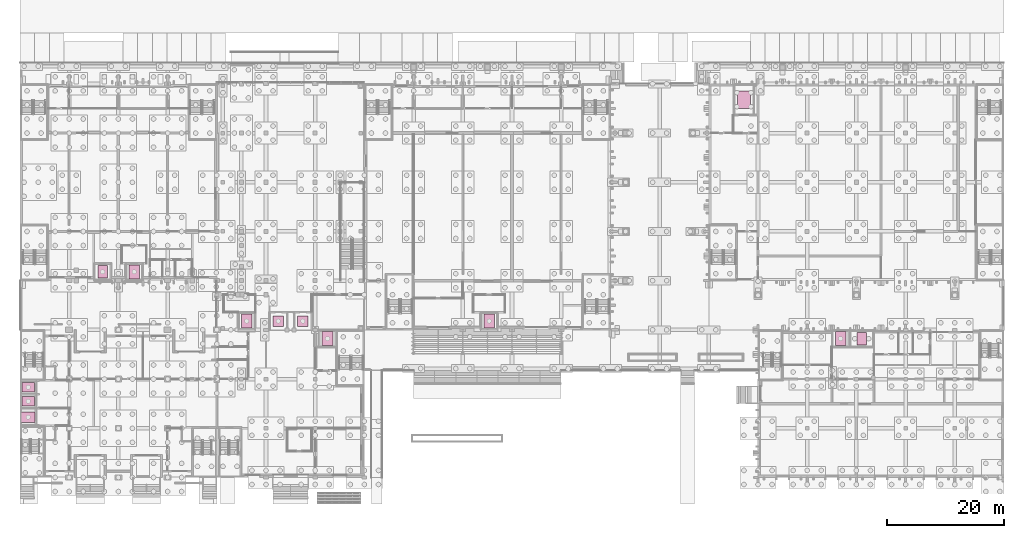
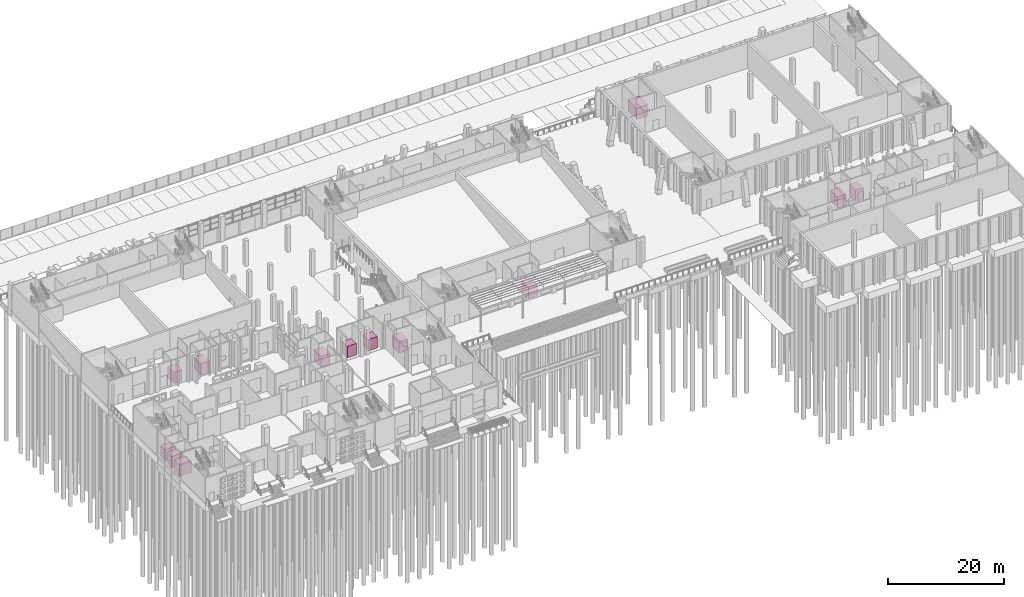
# One storey, part 129 of 129: 13 transport elements.
"""IFC4 building model written with IfcOpenShell, lengths in metres."""

from ifc_helpers import new_model, si_unit, direction, frame, origin, origin_2d, place, context, subcontext, project, spatial, rectangle, extrude, material, type_object, element, save


model = new_model("IFC4")

# Units and contexts
model_context = context("Model", 3, precision=1e-05, world=origin(), true_north=direction((0.0, 1.0)))
body_context = subcontext(model_context, "Body", "Model", "MODEL_VIEW")
ifc_project = project(units=[si_unit("LENGTHUNIT", "METRE"), si_unit("AREAUNIT", "SQUARE_METRE"), si_unit("VOLUMEUNIT", "CUBIC_METRE"), si_unit("PLANEANGLEUNIT", "RADIAN"), si_unit("MASSUNIT", "GRAM", prefix="KILO")], contexts=[model_context])

# Site, building, storey
site_placement = place(None, origin())
site = spatial("IfcSite", under=ifc_project, at=site_placement, CompositionType="ELEMENT")
building_placement = place(site_placement, origin())
building = spatial("IfcBuilding", under=site, at=building_placement, Name="Kiln Court Media Centre", CompositionType="ELEMENT")
storey_placement = place(building_placement, origin())
storey = spatial("IfcBuildingStorey", under=building, at=storey_placement, Name="L00", CompositionType="ELEMENT", Elevation=0.0)

# Transport elements
ifc_material_1 = material(Name="Steel S275", Category="steel")
transport_element_type_1 = type_object("IfcTransportElementType", Name="Steel S275 lift car 1600 x 2100", PredefinedType="ELEVATOR", material=ifc_material_1)
for number, where, z_axis, x_axis, name in (
    (1, (1.39990234375, 13.0, 0.0), (0.0, 0.0, 1.0), (1.0, 0.0, 0.0), "LF-02 Passenger lift"),
    (2, (1.39990234375, 15.39990234375, 0.0), (0.0, 0.0, 1.0), (1.0, 0.0, 0.0), "LF-03 Passenger lift"),
):
    element("IfcTransportElement", number, at=place(storey_placement, frame(where, z_axis=z_axis, x_axis=x_axis)), inside=storey, type_object=transport_element_type_1, Name=name, PredefinedType="ELEVATOR", context=body_context, shape_type="SweptSolid", body=[
        extrude(rectangle(XDim=2.10009765625, YDim=1.60009765625, at=origin_2d()), origin(), (0.0, 0.0, 1.0), 2.39990234375),
    ])
for number, where, z_axis, x_axis, name in (
    (3, (14.10009765625, 35.10009765625, 0.0), (0.0, 0.0, 1.0), (1.0, 0.0, 0.0), "LF-05 Passenger lift"),
    (4, (143.699951171875, 23.699951171875, 0.0), (0.0, 0.0, 1.0), (1.0, 0.0, 0.0), "LF-12 Passenger lift"),
):
    element("IfcTransportElement", number, at=place(storey_placement, frame(where, z_axis=z_axis, x_axis=x_axis)), inside=storey, type_object=transport_element_type_1, Name=name, PredefinedType="ELEVATOR", context=body_context, shape_type="SweptSolid", body=[
        extrude(rectangle(XDim=1.60009765625, YDim=2.10009765625, at=origin_2d()), origin(), (0.0, 0.0, 1.0), 2.39990234375),
    ])
ifc_material_2 = material(Name="Steel S275", Category="steel")
transport_element_type_2 = type_object("IfcTransportElementType", Name="Steel S275 lift car 1800 x 1800", PredefinedType="ELEVATOR", material=ifc_material_2)
for number, where, z_axis, x_axis, name in (
    (5, (44.10009765625, 26.699951171875, 0.0), (0.0, 0.0, 1.0), (1.0, 0.0, 0.0), "LF-07 Glass passenger lift"),
    (6, (48.300048828125, 26.699951171875, 0.0), (0.0, 0.0, 1.0), (1.0, 0.0, 0.0), "LF-08 Glass passenger lift"),
):
    element("IfcTransportElement", number, at=place(storey_placement, frame(where, z_axis=z_axis, x_axis=x_axis)), inside=storey, type_object=transport_element_type_2, Name=name, PredefinedType="ELEVATOR", context=body_context, shape_type="SweptSolid", body=[
        extrude(rectangle(XDim=1.800048828125, YDim=1.800048828125, at=origin_2d()), origin(), (0.0, 0.0, 1.0), 2.39990234375),
    ])
ifc_material_3 = material(Name="Steel S275", Category="steel")
transport_element_type_3 = type_object("IfcTransportElementType", Name="Steel S275 lift car 1800 x 2400", PredefinedType="ELEVATOR", material=ifc_material_3)
transport_element_1_placement = place(storey_placement, frame((1.39990234375, 10.300048828125, 0.0), z_axis=(0.0, 0.0, 1.0), x_axis=(1.0, 0.0, 0.0)))
element("IfcTransportElement", 7, at=transport_element_1_placement, inside=storey, type_object=transport_element_type_3, Name="LF-01 Fire-fighting lift", PredefinedType="ELEVATOR", context=body_context, shape_type="SweptSolid", body=[
    extrude(rectangle(XDim=2.39990234375, YDim=1.800048828125, at=origin_2d()), origin(), (0.0, 0.0, 1.0), 2.39990234375),
])
for number, where, z_axis, x_axis, name in (
    (8, (52.5, 23.699951171875, 0.0), (0.0, 0.0, 1.0), (1.0, 0.0, 0.0), "LF-04 Fire-fighting lift"),
    (9, (19.5, 35.10009765625, 0.0), (0.0, 0.0, 1.0), (1.0, 0.0, 0.0), "LF-06 Fire-fighting lift"),
    (10, (80.10009765625, 26.699951171875, 0.0), (0.0, 0.0, 1.0), (1.0, 0.0, 0.0), "LF-09 Fire-fighting lift"),
    (11, (140.10009765625, 23.699951171875, 0.0), (0.0, 0.0, 1.0), (1.0, 0.0, 0.0), "LF-11 Fire-fighting lift"),
    (12, (38.699951171875, 26.699951171875, 0.0), (0.0, 0.0, 1.0), (1.0, 0.0, 0.0), "LF-13 Fire-fighting lift"),
):
    element("IfcTransportElement", number, at=place(storey_placement, frame(where, z_axis=z_axis, x_axis=x_axis)), inside=storey, type_object=transport_element_type_3, Name=name, PredefinedType="ELEVATOR", context=body_context, shape_type="SweptSolid", body=[
        extrude(rectangle(XDim=1.800048828125, YDim=2.39990234375, at=origin_2d()), origin(), (0.0, 0.0, 1.0), 2.39990234375),
    ])
ifc_material_4 = material(Name="Steel S275", Category="steel")
transport_element_type_4 = type_object("IfcTransportElementType", Name="Steel S275 lift car 2200 x 3000", PredefinedType="ELEVATOR", material=ifc_material_4)
transport_element_2_placement = place(storey_placement, frame((123.60009765625, 64.5, 0.0), z_axis=(0.0, 0.0, 1.0), x_axis=(1.0, 0.0, 0.0)))
element("IfcTransportElement", 13, at=transport_element_2_placement, inside=storey, type_object=transport_element_type_4, Name="LF-10 Goods and fire-fighting lift", PredefinedType="ELEVATOR", context=body_context, shape_type="SweptSolid", body=[
    extrude(rectangle(XDim=2.199951171875, YDim=3.0, at=origin_2d()), origin(), (0.0, 0.0, 1.0), 2.39990234375),
])

save(model, "model.ifc")
